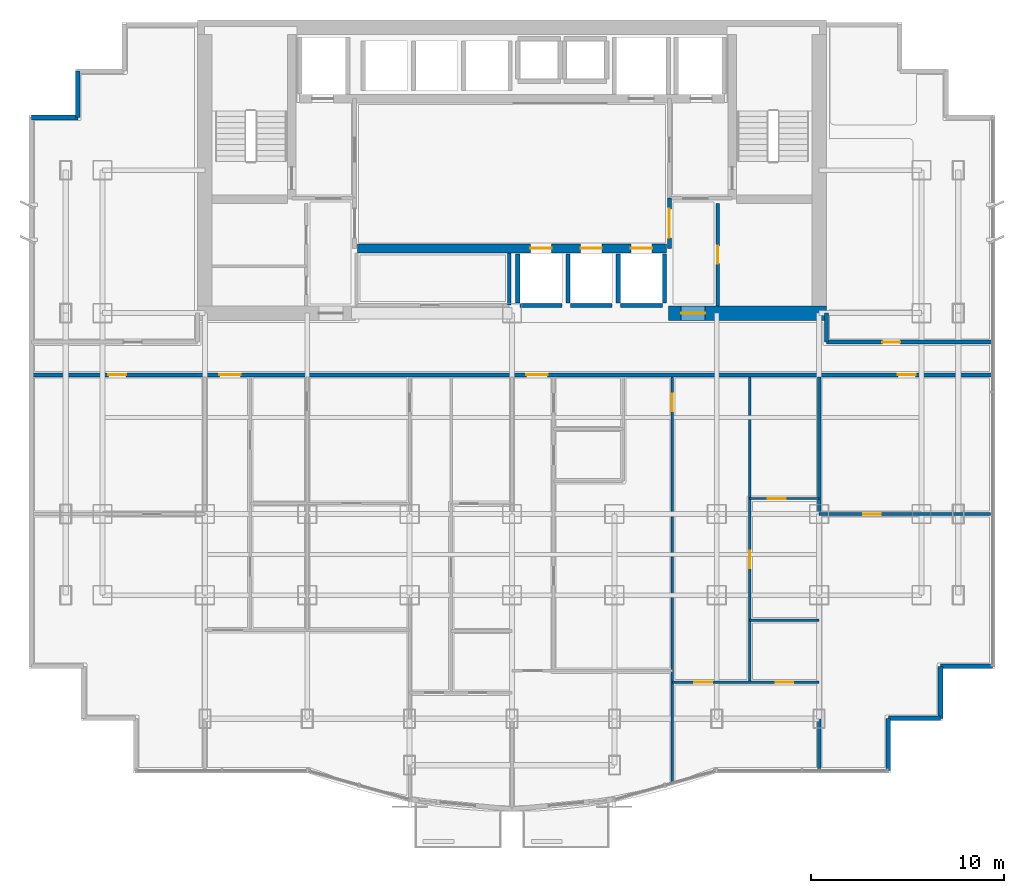
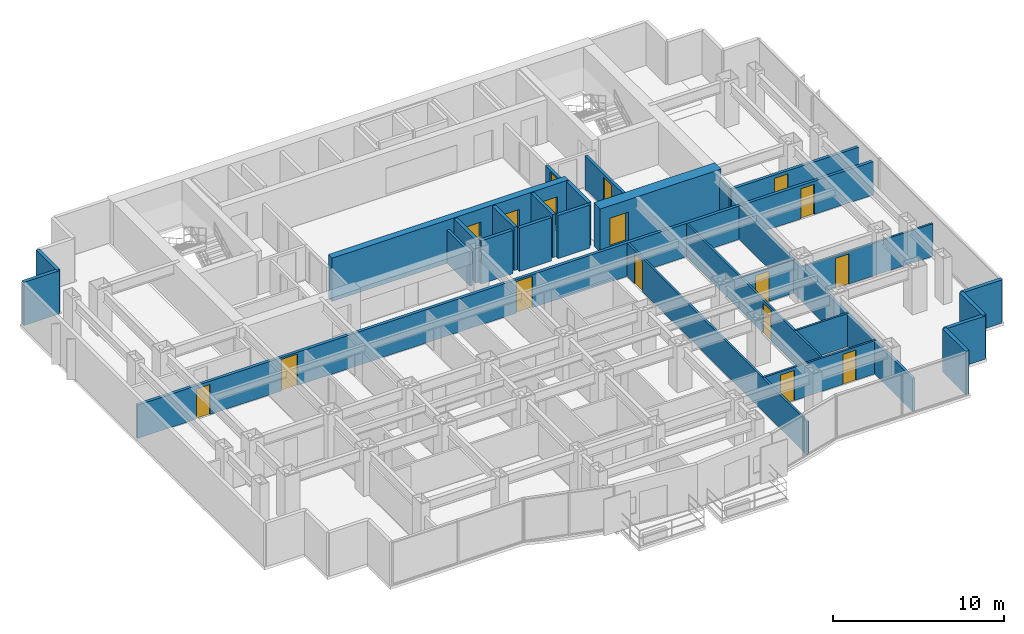
# One storey, part 8 of 12: 28 walls, 17 doors, 17 openings.
"""IFC4 building model written with IfcOpenShell, lengths in metres."""

from ifc_helpers import new_model, si_unit, direction, frame, frame_2d, origin, place, context, subcontext, project, spatial, rectangle, extrude, material, layer, layer_set, type_object, element, fill, save


model = new_model("IFC4")

# Units and contexts
model_context = context("Model", 3, precision=1e-05, world=origin(), true_north=direction((0.0, 1.0)))
body_context = subcontext(model_context, "Body", "Model", "MODEL_VIEW")
ifc_project = project(units=[si_unit("LENGTHUNIT", "METRE"), si_unit("AREAUNIT", "SQUARE_METRE"), si_unit("VOLUMEUNIT", "CUBIC_METRE"), si_unit("PLANEANGLEUNIT", "RADIAN"), si_unit("MASSUNIT", "GRAM", prefix="KILO")], contexts=[model_context])

# Site, building, storey
site_placement = place(None, origin())
site = spatial("IfcSite", under=ifc_project, at=site_placement, CompositionType="ELEMENT")
building_placement = place(site_placement, origin())
building = spatial("IfcBuilding", under=site, at=building_placement, Name="Qianlan Lanfeng Residences", CompositionType="ELEMENT")
storey_placement = place(building_placement, frame((0.0, 0.0, 101.5)))
storey = spatial("IfcBuildingStorey", under=building, at=storey_placement, Name="L27", CompositionType="ELEMENT", Elevation=101.5)

# Wall, openings, doors
ifc_material_1 = material(Name="Concrete C60", Category="concrete")
ifc_layer_1 = layer(ifc_material_1, 0.449951171875)
ifc_layer_set_1 = layer_set([ifc_layer_1], Name="Concrete C60")
wall_type_1 = type_object("IfcWallType", Name="CW-RC-450", PredefinedType="SHEAR", material=ifc_layer_set_1)
wall_1_placement = place(storey_placement, frame((18.5, 28.550048828125, 0.0), z_axis=(0.0, 0.0, 1.0), x_axis=(1.0, 0.0, 0.0)))
wall_1 = element("IfcWall", 1, at=wall_1_placement, inside=storey, type_object=wall_type_1, Name="L27 Core Shear Wall LBS", PredefinedType="SHEAR", context=body_context, shape_type="SweptSolid", body=[
    extrude(rectangle(XDim=16.0, YDim=0.449951171875, at=frame_2d((8.0, 0.0))), origin(), (0.0, 0.0, 1.0), 3.090087890625),
])
opening_1_placement = place(wall_1_placement, frame((8.949951171875, 0.0, 0.0)))
opening_1 = element("IfcOpeningElement", 2, at=opening_1_placement, cuts=wall_1, Name="Opening L27-LD-PL-M1", PredefinedType="OPENING", context=body_context, shape_type="SweptSolid", body=[
    extrude(rectangle(XDim=1.10009765625, YDim=2.14990234375, at=frame_2d((0.550048828125, 1.074951171875))), frame((0.0, 0.23486328125, 0.0), z_axis=(0.0, -1.0, 0.0), x_axis=(1.0, 0.0, 0.0)), (0.0, 0.0, 1.0), 0.469970703125),
])
opening_2_placement = place(wall_1_placement, frame((11.550048828125, 0.0, 0.0)))
opening_2 = element("IfcOpeningElement", 3, at=opening_2_placement, cuts=wall_1, Name="Opening L27-LD-PL-M2", PredefinedType="OPENING", context=body_context, shape_type="SweptSolid", body=[
    extrude(rectangle(XDim=1.10009765625, YDim=2.14990234375, at=frame_2d((0.550048828125, 1.074951171875))), frame((0.0, 0.23486328125, 0.0), z_axis=(0.0, -1.0, 0.0), x_axis=(1.0, 0.0, 0.0)), (0.0, 0.0, 1.0), 0.469970703125),
])
opening_3_placement = place(wall_1_placement, frame((14.14990234375, 0.0, 0.0)))
opening_3 = element("IfcOpeningElement", 4, at=opening_3_placement, cuts=wall_1, Name="Opening L27-LD-PL-M3", PredefinedType="OPENING", context=body_context, shape_type="SweptSolid", body=[
    extrude(rectangle(XDim=1.10009765625, YDim=2.14990234375, at=frame_2d((0.550048828125, 1.074951171875))), frame((0.0, 0.23486328125, 0.0), z_axis=(0.0, -1.0, 0.0), x_axis=(1.0, 0.0, 0.0)), (0.0, 0.0, 1.0), 0.469970703125),
])
ifc_material_2 = material(Name="Brushed Stainless Steel Sliding Lift Door", Category="steel")
door_type_1 = type_object("IfcDoorType", Name="LD-01", OperationType="NOTDEFINED", PredefinedType="DOOR", material=ifc_material_2)
door_1_placement = place(opening_1_placement, origin())
door_1 = element("IfcDoor", 5, at=door_1_placement, inside=storey, type_object=door_type_1, Name="L27 Elevator PL-M1 Sliding Landing Door", OperationType="DOUBLE_DOOR_SLIDING", OverallHeight=2.14990234375, OverallWidth=1.10009765625, PredefinedType="DOOR", context=body_context, shape_type="SweptSolid", body=[
    extrude(rectangle(XDim=1.10009765625, YDim=2.14990234375, at=frame_2d((0.550048828125, 1.074951171875))), frame((0.0, 0.02490234375, 0.0), z_axis=(0.0, -1.0, 0.0), x_axis=(1.0, 0.0, 0.0)), (0.0, 0.0, 1.0), 0.050048828125),
])
fill(opening_1, door_1)
door_2_placement = place(opening_2_placement, origin())
door_2 = element("IfcDoor", 6, at=door_2_placement, inside=storey, type_object=door_type_1, Name="L27 Elevator PL-M2 Sliding Landing Door", OperationType="DOUBLE_DOOR_SLIDING", OverallHeight=2.14990234375, OverallWidth=1.10009765625, PredefinedType="DOOR", context=body_context, shape_type="SweptSolid", body=[
    extrude(rectangle(XDim=1.10009765625, YDim=2.14990234375, at=frame_2d((0.550048828125, 1.074951171875))), frame((0.0, 0.02490234375, 0.0), z_axis=(0.0, -1.0, 0.0), x_axis=(1.0, 0.0, 0.0)), (0.0, 0.0, 1.0), 0.050048828125),
])
fill(opening_2, door_2)
door_3_placement = place(opening_3_placement, origin())
door_3 = element("IfcDoor", 7, at=door_3_placement, inside=storey, type_object=door_type_1, Name="L27 Elevator PL-M3 Sliding Landing Door", OperationType="DOUBLE_DOOR_SLIDING", OverallHeight=2.14990234375, OverallWidth=1.10009765625, PredefinedType="DOOR", context=body_context, shape_type="SweptSolid", body=[
    extrude(rectangle(XDim=1.10009765625, YDim=2.14990234375, at=frame_2d((0.550048828125, 1.074951171875))), frame((0.0, 0.02490234375, 0.0), z_axis=(0.0, -1.0, 0.0), x_axis=(1.0, 0.0, 0.0)), (0.0, 0.0, 1.0), 0.050048828125),
])
fill(opening_3, door_3)

# Wall, opening, door
ifc_layer_2 = layer(ifc_material_1, 0.75)
ifc_layer_set_2 = layer_set([ifc_layer_2], Name="Concrete C60")
wall_type_2 = type_object("IfcWallType", Name="CW-RC-750", PredefinedType="SHEAR", material=ifc_layer_set_2)
wall_2_placement = place(storey_placement, frame((34.60009765625, 25.199951171875, 0.0), z_axis=(0.0, 0.0, 1.0), x_axis=(1.0, 0.0, 0.0)))
wall_2 = element("IfcWall", 8, at=wall_2_placement, inside=storey, type_object=wall_type_2, Name="L27 Core Shear Wall SE", PredefinedType="SHEAR", context=body_context, shape_type="SweptSolid", body=[
    extrude(rectangle(XDim=8.1748046875, YDim=0.75, at=frame_2d((4.08740234375, 0.0))), origin(), (0.0, 0.0, 1.0), 3.090087890625),
])
opening_4_placement = place(wall_2_placement, frame((0.64990234375, 0.0, 0.0)))
opening_4 = element("IfcOpeningElement", 9, at=opening_4_placement, cuts=wall_2, Name="Opening L27-D02", PredefinedType="OPENING", context=body_context, shape_type="SweptSolid", body=[
    extrude(rectangle(XDim=1.25, YDim=2.199951171875, at=frame_2d((0.625, 1.10009765625))), frame((0.0, 0.385009765625, 0.0), z_axis=(0.0, -1.0, 0.0), x_axis=(1.0, 0.0, 0.0)), (0.0, 0.0, 1.0), 0.77001953125),
])
ifc_material_3 = material(Name="Painted Galvanised Steel Fire Door", Category="steel")
door_type_2 = type_object("IfcDoorType", Name="DT-FFL", OperationType="NOTDEFINED", PredefinedType="DOOR", material=ifc_material_3)
door_4_placement = place(opening_4_placement, frame((1.25, 0.0, 0.0), z_axis=(0.0, 0.0, 1.0), x_axis=(-1.0, 0.0, 0.0)))
door_4 = element("IfcDoor", 10, at=door_4_placement, inside=storey, type_object=door_type_2, Name="L27 East Core Lobby Smoke Door L27-D02 (DT-FFL)", OperationType="SINGLE_SWING_LEFT", OverallHeight=2.199951171875, OverallWidth=1.25, PredefinedType="DOOR", context=body_context, shape_type="SweptSolid", body=[
    extrude(rectangle(XDim=1.25, YDim=2.199951171875, at=frame_2d((0.625, 1.10009765625))), frame((0.0, 0.02490234375, 0.0), z_axis=(0.0, -1.0, 0.0), x_axis=(1.0, 0.0, 0.0)), (0.0, 0.0, 1.0), 0.050048828125),
])
fill(opening_4, door_4)

# Walls
ifc_material_4 = material(Name="Concrete C42", Category="concrete")
ifc_layer_3 = layer(ifc_material_4, 0.239990234375)
ifc_layer_set_3 = layer_set([ifc_layer_3], Name="Concrete C42")
wall_type_3 = type_object("IfcWallType", Name="EW-240", PredefinedType="SOLIDWALL", material=ifc_layer_set_3)
for number, where, z_axis, x_axis, name in (
    (11, (45.97998046875, 1.52001953125, 0.0), (0.0, 0.0, 1.0), (0.0, 1.0, 0.0), "L27 Exterior Facade Spandrel Wall 7"),
    (12, (45.97998046875, 4.219970703125, 0.0), (0.0, 0.0, 1.0), (1.0, 0.0, 0.0), "L27 Exterior Facade Spandrel Wall 8"),
    (13, (48.679931640625, 4.219970703125, 0.0), (0.0, 0.0, 1.0), (0.0, 1.0, 0.0), "L27 Exterior Facade Spandrel Wall 9"),
    (14, (48.679931640625, 6.919921875, 0.0), (0.0, 0.0, 1.0), (1.0, 0.0, 0.0), "L27 Exterior Facade Spandrel Wall 10"),
):
    element("IfcWall", number, at=place(storey_placement, frame(where, z_axis=z_axis, x_axis=x_axis)), inside=storey, type_object=wall_type_3, Name=name, PredefinedType="SOLIDWALL", context=body_context, shape_type="SweptSolid", body=[
        extrude(rectangle(XDim=2.699951171875, YDim=0.239990234375, at=frame_2d((1.35009765625, 0.0))), origin(), (0.0, 0.0, 1.0), 3.090087890625),
    ])
for number, where, z_axis, x_axis, name in (
    (15, (4.02001953125, 37.72998046875, 0.0), (0.0, 0.0, 1.0), (0.0, -1.0, 0.0), "L27 Exterior Facade Spandrel Wall 19"),
    (16, (4.02001953125, 35.330078125, 0.0), (0.0, 0.0, 1.0), (-1.0, 0.0, 0.0), "L27 Exterior Facade Spandrel Wall 20"),
):
    element("IfcWall", number, at=place(storey_placement, frame(where, z_axis=z_axis, x_axis=x_axis)), inside=storey, type_object=wall_type_3, Name=name, PredefinedType="SOLIDWALL", context=body_context, shape_type="SweptSolid", body=[
        extrude(rectangle(XDim=2.39990234375, YDim=0.239990234375, at=frame_2d((1.199951171875, 0.0))), origin(), (0.0, 0.0, 1.0), 3.090087890625),
    ])

# Wall, opening, door
ifc_material_5 = material(Name="Demountable Acoustic Framing Partition 110 mm")
ifc_layer_4 = layer(ifc_material_5, 0.110107421875)
ifc_layer_set_4 = layer_set([ifc_layer_4], Name="Demountable Acoustic Framing Partition 110 mm")
wall_type_4 = type_object("IfcWallType", Name="PW-110", PredefinedType="MOVABLE", material=ifc_layer_set_4)
wall_3_placement = place(storey_placement, frame((38.800048828125, 15.596923828125, 0.0), z_axis=(0.0, 0.0, 1.0), x_axis=(1.0, 0.0, 0.0)))
wall_3 = element("IfcWall", 17, at=wall_3_placement, inside=storey, type_object=wall_type_4, Name="L27 U02 Wardrobe Split", PredefinedType="MOVABLE", context=body_context, shape_type="SweptSolid", body=[
    extrude(rectangle(XDim=3.599853515625, YDim=0.110107421875, at=frame_2d((1.7998046875, 0.0))), origin(), (0.0, 0.0, 1.0), 2.3798828125),
])
opening_5_placement = place(wall_3_placement, frame((0.93994140625, 0.0, 0.0)))
opening_5 = element("IfcOpeningElement", 18, at=opening_5_placement, cuts=wall_3, Name="Opening L27-D35", PredefinedType="OPENING", context=body_context, shape_type="SweptSolid", body=[
    extrude(rectangle(XDim=0.919921875, YDim=2.14990234375, at=frame_2d((0.4599609375, 1.074951171875))), frame((0.0, 0.06494140625, 0.0), z_axis=(0.0, -1.0, 0.0), x_axis=(1.0, 0.0, 0.0)), (0.0, 0.0, 1.0), 0.130126953125),
])
ifc_material_6 = material(Name="Glazed Timber Kitchen/Study Door", Category="wood")
door_type_3 = type_object("IfcDoorType", Name="DT-INT", OperationType="NOTDEFINED", PredefinedType="DOOR", material=ifc_material_6)
door_5_placement = place(opening_5_placement, origin())
door_5 = element("IfcDoor", 19, at=door_5_placement, inside=storey, type_object=door_type_3, Name="L27 U02 Dressing Inner Door L27-D35 (DT-INT)", OperationType="SINGLE_SWING_RIGHT", OverallHeight=2.14990234375, OverallWidth=0.919921875, PredefinedType="DOOR", context=body_context, shape_type="SweptSolid", body=[
    extrude(rectangle(XDim=0.919921875, YDim=2.14990234375, at=frame_2d((0.4599609375, 1.074951171875))), frame((0.0, 0.02490234375, 0.0), z_axis=(0.0, -1.0, 0.0), x_axis=(1.0, 0.0, 0.0)), (0.0, 0.0, 1.0), 0.050048828125),
])
fill(opening_5, door_5)

ifc_material_7 = material(Name="Moisture-Resistant Gypsum Partition 135 mm")
ifc_layer_5 = layer(ifc_material_7, 0.135009765625)
ifc_layer_set_5 = layer_set([ifc_layer_5], Name="Moisture-Resistant Gypsum Partition 135 mm")
wall_type_5 = type_object("IfcWallType", Name="PW-135", PredefinedType="PARTITIONING", material=ifc_layer_set_5)
wall_4_placement = place(storey_placement, frame((34.800048828125, 0.866943359375, 0.0), z_axis=(0.0, 0.0, 1.0), x_axis=(0.0, 1.0, 0.0)))
wall_4 = element("IfcWall", 20, at=wall_4_placement, inside=storey, type_object=wall_type_5, Name="L27 U02 Bay Spine Wall 1", PredefinedType="PARTITIONING", context=body_context, shape_type="SweptSolid", body=[
    extrude(rectangle(XDim=21.032958984375, YDim=0.135009765625, at=frame_2d((10.5166015625, 0.0))), origin(), (0.0, 0.0, 1.0), 2.3798828125),
])
opening_6_placement = place(wall_4_placement, frame((19.248046875, 0.0, 0.0)))
opening_6 = element("IfcOpeningElement", 21, at=opening_6_placement, cuts=wall_4, Name="Opening L27-D27", PredefinedType="OPENING", context=body_context, shape_type="SweptSolid", body=[
    extrude(rectangle(XDim=0.919921875, YDim=2.14990234375, at=frame_2d((0.4599609375, 1.074951171875))), frame((0.0, 0.07763671875, 0.0), z_axis=(0.0, -1.0, 0.0), x_axis=(1.0, 0.0, 0.0)), (0.0, 0.0, 1.0), 0.155029296875),
])
door_6_placement = place(opening_6_placement, origin())
door_6 = element("IfcDoor", 22, at=door_6_placement, inside=storey, type_object=door_type_3, Name="L27 U02 Internal Hall Door L27-D27 (DT-INT)", OperationType="SINGLE_SWING_RIGHT", OverallHeight=2.14990234375, OverallWidth=0.919921875, PredefinedType="DOOR", context=body_context, shape_type="SweptSolid", body=[
    extrude(rectangle(XDim=0.919921875, YDim=2.14990234375, at=frame_2d((0.4599609375, 1.074951171875))), frame((0.0, 0.02490234375, 0.0), z_axis=(0.0, -1.0, 0.0), x_axis=(1.0, 0.0, 0.0)), (0.0, 0.0, 1.0), 0.050048828125),
])
fill(opening_6, door_6)

# Wall, openings, doors
wall_5_placement = place(storey_placement, frame((34.800048828125, 6.093994140625, 0.0), z_axis=(0.0, 0.0, 1.0), x_axis=(1.0, 0.0, 0.0)))
wall_5 = element("IfcWall", 23, at=wall_5_placement, inside=storey, type_object=wall_type_5, Name="L27 U02 Master Bedroom North Wall", PredefinedType="PARTITIONING", context=body_context, shape_type="SweptSolid", body=[
    extrude(rectangle(XDim=7.599853515625, YDim=0.135009765625, at=frame_2d((3.7998046875, 0.0))), origin(), (0.0, 0.0, 1.0), 2.3798828125),
])
opening_7_placement = place(wall_5_placement, frame((1.125, 0.0, 0.0)))
opening_7 = element("IfcOpeningElement", 24, at=opening_7_placement, cuts=wall_5, Name="Opening L27-D32", PredefinedType="OPENING", context=body_context, shape_type="SweptSolid", body=[
    extrude(rectangle(XDim=0.949951171875, YDim=2.14990234375, at=frame_2d((0.47509765625, 1.074951171875))), frame((0.0, 0.07763671875, 0.0), z_axis=(0.0, -1.0, 0.0), x_axis=(1.0, 0.0, 0.0)), (0.0, 0.0, 1.0), 0.155029296875),
])
opening_8_placement = place(wall_5_placement, frame((5.35009765625, 0.0, 0.0)))
opening_8 = element("IfcOpeningElement", 25, at=opening_8_placement, cuts=wall_5, Name="Opening L27-D33", PredefinedType="OPENING", context=body_context, shape_type="SweptSolid", body=[
    extrude(rectangle(XDim=0.89990234375, YDim=2.14990234375, at=frame_2d((0.449951171875, 1.074951171875))), frame((0.0, 0.07763671875, 0.0), z_axis=(0.0, -1.0, 0.0), x_axis=(1.0, 0.0, 0.0)), (0.0, 0.0, 1.0), 0.155029296875),
])
ifc_material_8 = material(Name="Painted Solid-Core Timber Leaf", Category="wood")
door_type_4 = type_object("IfcDoorType", Name="DT-BED", OperationType="NOTDEFINED", PredefinedType="DOOR", material=ifc_material_8)
door_7_placement = place(opening_7_placement, origin())
door_7 = element("IfcDoor", 26, at=door_7_placement, inside=storey, type_object=door_type_4, Name="L27 U02 Master Bedroom Door L27-D32 (DT-BED)", OperationType="SINGLE_SWING_LEFT", OverallHeight=2.14990234375, OverallWidth=0.949951171875, PredefinedType="DOOR", context=body_context, shape_type="SweptSolid", body=[
    extrude(rectangle(XDim=0.949951171875, YDim=2.14990234375, at=frame_2d((0.47509765625, 1.074951171875))), frame((0.0, 0.02490234375, 0.0), z_axis=(0.0, -1.0, 0.0), x_axis=(1.0, 0.0, 0.0)), (0.0, 0.0, 1.0), 0.050048828125),
])
fill(opening_7, door_7)
ifc_material_9 = material(Name="Moisture-Resistant Timber Leaf", Category="wood")
door_type_5 = type_object("IfcDoorType", Name="DT-WC", OperationType="NOTDEFINED", PredefinedType="DOOR", material=ifc_material_9)
door_8_placement = place(opening_8_placement, origin())
door_8 = element("IfcDoor", 27, at=door_8_placement, inside=storey, type_object=door_type_5, Name="L27 U02 En-Suite Bathroom Door L27-D33 (DT-WC)", OperationType="SINGLE_SWING_RIGHT", OverallHeight=2.14990234375, OverallWidth=0.89990234375, PredefinedType="DOOR", context=body_context, shape_type="SweptSolid", body=[
    extrude(rectangle(XDim=0.89990234375, YDim=2.14990234375, at=frame_2d((0.449951171875, 1.074951171875))), frame((0.0, 0.02490234375, 0.0), z_axis=(0.0, -1.0, 0.0), x_axis=(1.0, 0.0, 0.0)), (0.0, 0.0, 1.0), 0.050048828125),
])
fill(opening_8, door_8)

# Wall, opening, door
wall_6_placement = place(storey_placement, frame((38.800048828125, 6.093994140625, 0.0), z_axis=(0.0, 0.0, 1.0), x_axis=(0.0, 1.0, 0.0)))
wall_6 = element("IfcWall", 28, at=wall_6_placement, inside=storey, type_object=wall_type_5, Name="L27 U02 Master Passage Wall", PredefinedType="PARTITIONING", context=body_context, shape_type="SweptSolid", body=[
    extrude(rectangle(XDim=15.805908203125, YDim=0.135009765625, at=frame_2d((7.90283203125, 0.0))), origin(), (0.0, 0.0, 1.0), 2.3798828125),
])
opening_9_placement = place(wall_6_placement, frame((5.89111328125, 0.0, 0.0)))
opening_9 = element("IfcOpeningElement", 29, at=opening_9_placement, cuts=wall_6, Name="Opening L27-D34", PredefinedType="OPENING", context=body_context, shape_type="SweptSolid", body=[
    extrude(rectangle(XDim=0.919921875, YDim=2.14990234375, at=frame_2d((0.4599609375, 1.074951171875))), frame((0.0, 0.07763671875, 0.0), z_axis=(0.0, -1.0, 0.0), x_axis=(1.0, 0.0, 0.0)), (0.0, 0.0, 1.0), 0.155029296875),
])
door_9_placement = place(opening_9_placement, origin())
door_9 = element("IfcDoor", 30, at=door_9_placement, inside=storey, type_object=door_type_3, Name="L27 U02 Wardrobe Door L27-D34 (DT-INT)", OperationType="SINGLE_SWING_LEFT", OverallHeight=2.14990234375, OverallWidth=0.919921875, PredefinedType="DOOR", context=body_context, shape_type="SweptSolid", body=[
    extrude(rectangle(XDim=0.919921875, YDim=2.14990234375, at=frame_2d((0.4599609375, 1.074951171875))), frame((0.0, 0.02490234375, 0.0), z_axis=(0.0, -1.0, 0.0), x_axis=(1.0, 0.0, 0.0)), (0.0, 0.0, 1.0), 0.050048828125),
])
fill(opening_9, door_9)

# Wall
wall_7_placement = place(storey_placement, frame((38.800048828125, 9.2939453125, 0.0), z_axis=(0.0, 0.0, 1.0), x_axis=(1.0, 0.0, 0.0)))
element("IfcWall", 31, at=wall_7_placement, inside=storey, type_object=wall_type_5, Name="L27 U02 En-Suite North Wall", PredefinedType="PARTITIONING", context=body_context, shape_type="SweptSolid", body=[
    extrude(rectangle(XDim=3.599853515625, YDim=0.135009765625, at=frame_2d((1.7998046875, 0.0))), origin(), (0.0, 0.0, 1.0), 2.3798828125),
])

# Wall, opening, door
wall_8_placement = place(storey_placement, frame((42.39990234375, 14.800048828125, 0.0), z_axis=(0.0, 0.0, 1.0), x_axis=(1.0, 0.0, 0.0)))
wall_8 = element("IfcWall", 32, at=wall_8_placement, inside=storey, type_object=wall_type_5, Name="L27 SEP Mid Partition", PredefinedType="PARTITIONING", context=body_context, shape_type="SweptSolid", body=[
    extrude(rectangle(XDim=8.880126953125, YDim=0.135009765625, at=frame_2d((4.43994140625, 0.0))), origin(), (0.0, 0.0, 1.0), 2.3349609375),
])
opening_10_placement = place(wall_8_placement, frame((2.280029296875, 0.0, 0.0)))
opening_10 = element("IfcOpeningElement", 33, at=opening_10_placement, cuts=wall_8, Name="Opening L27-D38", PredefinedType="OPENING", context=body_context, shape_type="SweptSolid", body=[
    extrude(rectangle(XDim=0.919921875, YDim=2.14990234375, at=frame_2d((0.4599609375, 1.074951171875))), frame((0.0, 0.07763671875, 0.0), z_axis=(0.0, -1.0, 0.0), x_axis=(1.0, 0.0, 0.0)), (0.0, 0.0, 1.0), 0.155029296875),
])
door_10_placement = place(opening_10_placement, origin())
door_10 = element("IfcDoor", 34, at=door_10_placement, inside=storey, type_object=door_type_3, Name="L27 SEP Inner Door L27-D38 (DT-INT)", OperationType="SINGLE_SWING_LEFT", OverallHeight=2.14990234375, OverallWidth=0.919921875, PredefinedType="DOOR", context=body_context, shape_type="SweptSolid", body=[
    extrude(rectangle(XDim=0.919921875, YDim=2.14990234375, at=frame_2d((0.4599609375, 1.074951171875))), frame((0.0, 0.02490234375, 0.0), z_axis=(0.0, -1.0, 0.0), x_axis=(1.0, 0.0, 0.0)), (0.0, 0.0, 1.0), 0.050048828125),
])
fill(opening_10, door_10)

ifc_material_10 = material(Name="Double-Layer Acoustic Gypsum Stud Wall 180 mm")
ifc_layer_6 = layer(ifc_material_10, 0.179931640625)
ifc_layer_set_6 = layer_set([ifc_layer_6], Name="Double-Layer Acoustic Gypsum Stud Wall 180 mm")
wall_type_6 = type_object("IfcWallType", Name="PW-180", PredefinedType="PARTITIONING", material=ifc_layer_set_6)
wall_9_placement = place(storey_placement, frame((37.14990234375, 25.574951171875, 0.0), z_axis=(0.0, 0.0, 1.0), x_axis=(0.0, 1.0, 0.0)))
wall_9 = element("IfcWall", 35, at=wall_9_placement, inside=storey, type_object=wall_type_6, Name="L27 Core East Service Room Wall", PredefinedType="PARTITIONING", context=body_context, shape_type="SweptSolid", body=[
    extrude(rectangle(XDim=5.300048828125, YDim=0.179931640625, at=frame_2d((2.64990234375, 0.0))), origin(), (0.0, 0.0, 1.0), 2.3798828125),
])
opening_11_placement = place(wall_9_placement, frame((2.18994140625, 0.0, 0.0)))
opening_11 = element("IfcOpeningElement", 36, at=opening_11_placement, cuts=wall_9, Name="Opening L27-D11", PredefinedType="OPENING", context=body_context, shape_type="SweptSolid", body=[
    extrude(rectangle(XDim=0.919921875, YDim=2.14990234375, at=frame_2d((0.4599609375, 1.074951171875))), frame((0.0, 0.10009765625, 0.0), z_axis=(0.0, -1.0, 0.0), x_axis=(1.0, 0.0, 0.0)), (0.0, 0.0, 1.0), 0.199951171875),
])
door_11_placement = place(opening_11_placement, origin())
door_11 = element("IfcDoor", 37, at=door_11_placement, inside=storey, type_object=door_type_3, Name="L27 Mail Parcel Closet Door L27-D11 (DT-INT)", OperationType="SINGLE_SWING_RIGHT", OverallHeight=2.14990234375, OverallWidth=0.919921875, PredefinedType="DOOR", context=body_context, shape_type="SweptSolid", body=[
    extrude(rectangle(XDim=0.919921875, YDim=2.14990234375, at=frame_2d((0.4599609375, 1.074951171875))), frame((0.0, 0.02490234375, 0.0), z_axis=(0.0, -1.0, 0.0), x_axis=(1.0, 0.0, 0.0)), (0.0, 0.0, 1.0), 0.050048828125),
])
fill(opening_11, door_11)

# Walls
wall_10_placement = place(storey_placement, frame((26.35009765625, 25.6201171875, 0.0), z_axis=(0.0, 0.0, 1.0), x_axis=(0.0, 1.0, 0.0)))
element("IfcWall", 38, at=wall_10_placement, inside=storey, type_object=wall_type_6, Name="L27 Reclaimed Low-Bank Room East Wall", PredefinedType="PARTITIONING", context=body_context, shape_type="SweptSolid", body=[
    extrude(rectangle(XDim=2.704833984375, YDim=0.179931640625, at=frame_2d((1.3525390625, 0.0))), origin(), (0.0, 0.0, 1.0), 2.3798828125),
])
wall_11_placement = place(storey_placement, frame((42.39990234375, 1.6201171875, 0.0), z_axis=(0.0, 0.0, 1.0), x_axis=(0.0, 1.0, 0.0)))
element("IfcWall", 39, at=wall_11_placement, inside=storey, type_object=wall_type_6, Name="L27 Wing Boundary Party Wall E0", PredefinedType="PARTITIONING", context=body_context, shape_type="SweptSolid", body=[
    extrude(rectangle(XDim=20.27978515625, YDim=0.179931640625, at=frame_2d((10.139892578125, 0.0))), origin(), (0.0, 0.0, 1.0), 2.3349609375),
])

# Wall, opening, door
ifc_material_11 = material(Name="Autoclaved Aerated Concrete Blockwork 200 mm", Category="masonry")
ifc_layer_7 = layer(ifc_material_11, 0.199951171875)
ifc_layer_set_7 = layer_set([ifc_layer_7], Name="Autoclaved Aerated Concrete Blockwork 200 mm")
wall_type_7 = type_object("IfcWallType", Name="PW-200", PredefinedType="PARTITIONING", material=ifc_layer_set_7)
wall_12_placement = place(storey_placement, frame((34.64990234375, 28.550048828125, 0.0), z_axis=(0.0, 0.0, 1.0), x_axis=(0.0, 1.0, 0.0)))
wall_12 = element("IfcWall", 40, at=wall_12_placement, inside=storey, type_object=wall_type_7, Name="L27 Lift Lobby East Connector Wall", PredefinedType="PARTITIONING", context=body_context, shape_type="SweptSolid", body=[
    extrude(rectangle(XDim=2.599853515625, YDim=0.199951171875, at=frame_2d((1.2998046875, 0.0))), origin(), (0.0, 0.0, 1.0), 2.3798828125),
])
opening_12_placement = place(wall_12_placement, frame((0.550048828125, 0.0, 0.0)))
opening_12 = element("IfcOpeningElement", 41, at=opening_12_placement, cuts=wall_12, Name="Opening L27-D13", PredefinedType="OPENING", context=body_context, shape_type="SweptSolid", body=[
    extrude(rectangle(XDim=1.5, YDim=2.25, at=frame_2d((0.75, 1.125))), frame((0.0, 0.10986328125, 0.0), z_axis=(0.0, -1.0, 0.0), x_axis=(1.0, 0.0, 0.0)), (0.0, 0.0, 1.0), 0.219970703125),
])
ifc_material_12 = material(Name="Timber Veneer Acoustic Fire Door", Category="wood")
door_type_6 = type_object("IfcDoorType", Name="DT-COR1", OperationType="NOTDEFINED", PredefinedType="DOOR", material=ifc_material_12)
door_12_placement = place(opening_12_placement, frame((1.5, 0.0, 0.0), z_axis=(0.0, 0.0, 1.0), x_axis=(-1.0, 0.0, 0.0)))
door_12 = element("IfcDoor", 42, at=door_12_placement, inside=storey, type_object=door_type_6, Name="L27 Lift Lobby East Portal Door L27-D13 (DT-COR1)", OperationType="DOUBLE_DOOR_SINGLE_SWING", OverallHeight=2.25, OverallWidth=1.5, PredefinedType="DOOR", context=body_context, shape_type="SweptSolid", body=[
    extrude(rectangle(XDim=1.5, YDim=2.25, at=frame_2d((0.75, 1.125))), frame((0.0, 0.02490234375, 0.0), z_axis=(0.0, -1.0, 0.0), x_axis=(1.0, 0.0, 0.0)), (0.0, 0.0, 1.0), 0.050048828125),
])
fill(opening_12, door_12)

# Wall, openings, doors
wall_13_placement = place(storey_placement, frame((1.6201171875, 22.0, 0.0), z_axis=(0.0, 0.0, 1.0), x_axis=(1.0, 0.0, 0.0)))
wall_13 = element("IfcWall", 43, at=wall_13_placement, inside=storey, type_object=wall_type_7, Name="L27 Residential Corridor South Fire Wall", PredefinedType="PARTITIONING", context=body_context, shape_type="SweptSolid", body=[
    extrude(rectangle(XDim=49.759765625, YDim=0.199951171875, at=frame_2d((24.8798828125, 0.0))), origin(), (0.0, 0.0, 1.0), 2.3798828125),
])
opening_13_placement = place(wall_13_placement, frame((9.72998046875, 0.0, 0.0)))
opening_13 = element("IfcOpeningElement", 44, at=opening_13_placement, cuts=wall_13, Name="Opening L27-D15", PredefinedType="OPENING", context=body_context, shape_type="SweptSolid", body=[
    extrude(rectangle(XDim=1.10009765625, YDim=2.25, at=frame_2d((0.550048828125, 1.125))), frame((0.0, 0.10986328125, 0.0), z_axis=(0.0, -1.0, 0.0), x_axis=(1.0, 0.0, 0.0)), (0.0, 0.0, 1.0), 0.219970703125),
])
opening_14_placement = place(wall_13_placement, frame((25.6298828125, 0.0, 0.0)))
opening_14 = element("IfcOpeningElement", 45, at=opening_14_placement, cuts=wall_13, Name="Opening L27-D26", PredefinedType="OPENING", context=body_context, shape_type="SweptSolid", body=[
    extrude(rectangle(XDim=1.10009765625, YDim=2.25, at=frame_2d((0.550048828125, 1.125))), frame((0.0, 0.10986328125, 0.0), z_axis=(0.0, -1.0, 0.0), x_axis=(1.0, 0.0, 0.0)), (0.0, 0.0, 1.0), 0.219970703125),
])
opening_15_placement = place(wall_13_placement, frame((3.985107421875, 0.0, 0.0)))
opening_15 = element("IfcOpeningElement", 46, at=opening_15_placement, cuts=wall_13, Name="Opening L27-D37", PredefinedType="OPENING", context=body_context, shape_type="SweptSolid", body=[
    extrude(rectangle(XDim=0.919921875, YDim=2.14990234375, at=frame_2d((0.4599609375, 1.074951171875))), frame((0.0, 0.10986328125, 0.0), z_axis=(0.0, -1.0, 0.0), x_axis=(1.0, 0.0, 0.0)), (0.0, 0.0, 1.0), 0.219970703125),
])
opening_16_placement = place(wall_13_placement, frame((44.85498046875, 0.0, 0.0)))
opening_16 = element("IfcOpeningElement", 47, at=opening_16_placement, cuts=wall_13, Name="Opening L27-D39", PredefinedType="OPENING", context=body_context, shape_type="SweptSolid", body=[
    extrude(rectangle(XDim=0.919921875, YDim=2.14990234375, at=frame_2d((0.4599609375, 1.074951171875))), frame((0.0, 0.10986328125, 0.0), z_axis=(0.0, -1.0, 0.0), x_axis=(1.0, 0.0, 0.0)), (0.0, 0.0, 1.0), 0.219970703125),
])
door_13_placement = place(opening_15_placement, origin())
door_13 = element("IfcDoor", 48, at=door_13_placement, inside=storey, type_object=door_type_3, Name="L27 SWP Corridor Door L27-D37 (DT-INT)", OperationType="SINGLE_SWING_RIGHT", OverallHeight=2.14990234375, OverallWidth=0.919921875, PredefinedType="DOOR", context=body_context, shape_type="SweptSolid", body=[
    extrude(rectangle(XDim=0.919921875, YDim=2.14990234375, at=frame_2d((0.4599609375, 1.074951171875))), frame((0.0, 0.02490234375, 0.0), z_axis=(0.0, -1.0, 0.0), x_axis=(1.0, 0.0, 0.0)), (0.0, 0.0, 1.0), 0.050048828125),
])
fill(opening_15, door_13)
door_14_placement = place(opening_16_placement, origin())
door_14 = element("IfcDoor", 49, at=door_14_placement, inside=storey, type_object=door_type_3, Name="L27 SEP Corridor Door L27-D39 (DT-INT)", OperationType="SINGLE_SWING_RIGHT", OverallHeight=2.14990234375, OverallWidth=0.919921875, PredefinedType="DOOR", context=body_context, shape_type="SweptSolid", body=[
    extrude(rectangle(XDim=0.919921875, YDim=2.14990234375, at=frame_2d((0.4599609375, 1.074951171875))), frame((0.0, 0.02490234375, 0.0), z_axis=(0.0, -1.0, 0.0), x_axis=(1.0, 0.0, 0.0)), (0.0, 0.0, 1.0), 0.050048828125),
])
fill(opening_16, door_14)
ifc_material_13 = material(Name="Solid-Core Oak Veneer Fire Door")
door_type_7 = type_object("IfcDoorType", Name="DT-UNIT", OperationType="NOTDEFINED", PredefinedType="DOOR", material=ifc_material_13)
door_15_placement = place(opening_13_placement, origin())
door_15 = element("IfcDoor", 50, at=door_15_placement, inside=storey, type_object=door_type_7, Name="L27 Apartment U01 Entrance Door L27-D15 (DT-UNIT)", OperationType="SINGLE_SWING_RIGHT", OverallHeight=2.25, OverallWidth=1.10009765625, PredefinedType="DOOR", context=body_context, shape_type="SweptSolid", body=[
    extrude(rectangle(XDim=1.10009765625, YDim=2.25, at=frame_2d((0.550048828125, 1.125))), frame((0.0, 0.02490234375, 0.0), z_axis=(0.0, -1.0, 0.0), x_axis=(1.0, 0.0, 0.0)), (0.0, 0.0, 1.0), 0.050048828125),
])
fill(opening_13, door_15)
door_16_placement = place(opening_14_placement, origin())
door_16 = element("IfcDoor", 51, at=door_16_placement, inside=storey, type_object=door_type_7, Name="L27 Apartment U02 Entrance Door L27-D26 (DT-UNIT)", OperationType="SINGLE_SWING_RIGHT", OverallHeight=2.25, OverallWidth=1.10009765625, PredefinedType="DOOR", context=body_context, shape_type="SweptSolid", body=[
    extrude(rectangle(XDim=1.10009765625, YDim=2.25, at=frame_2d((0.550048828125, 1.125))), frame((0.0, 0.02490234375, 0.0), z_axis=(0.0, -1.0, 0.0), x_axis=(1.0, 0.0, 0.0)), (0.0, 0.0, 1.0), 0.050048828125),
])
fill(opening_14, door_16)

# Wall, opening, door
wall_14_placement = place(storey_placement, frame((42.77490234375, 23.699951171875, 0.0), z_axis=(0.0, 0.0, 1.0), x_axis=(1.0, 0.0, 0.0)))
wall_14 = element("IfcWall", 52, at=wall_14_placement, inside=storey, type_object=wall_type_7, Name="L27 Corridor NE Wall", PredefinedType="PARTITIONING", context=body_context, shape_type="SweptSolid", body=[
    extrude(rectangle(XDim=8.60498046875, YDim=0.199951171875, at=frame_2d((4.302490234375, 0.0))), origin(), (0.0, 0.0, 1.0), 2.3798828125),
])
opening_17_placement = place(wall_14_placement, frame((2.89306640625, 0.0, 0.0)))
opening_17 = element("IfcOpeningElement", 53, at=opening_17_placement, cuts=wall_14, Name="Opening L27-D41", PredefinedType="OPENING", context=body_context, shape_type="SweptSolid", body=[
    extrude(rectangle(XDim=0.919921875, YDim=2.14990234375, at=frame_2d((0.4599609375, 1.074951171875))), frame((0.0, 0.10986328125, 0.0), z_axis=(0.0, -1.0, 0.0), x_axis=(1.0, 0.0, 0.0)), (0.0, 0.0, 1.0), 0.219970703125),
])
door_17_placement = place(opening_17_placement, origin())
door_17 = element("IfcDoor", 54, at=door_17_placement, inside=storey, type_object=door_type_3, Name="L27 EW Amenity Salon Door L27-D41 (DT-INT)", OperationType="SINGLE_SWING_RIGHT", OverallHeight=2.14990234375, OverallWidth=0.919921875, PredefinedType="DOOR", context=body_context, shape_type="SweptSolid", body=[
    extrude(rectangle(XDim=0.919921875, YDim=2.14990234375, at=frame_2d((0.4599609375, 1.074951171875))), frame((0.0, 0.02490234375, 0.0), z_axis=(0.0, -1.0, 0.0), x_axis=(1.0, 0.0, 0.0)), (0.0, 0.0, 1.0), 0.050048828125),
])
fill(opening_17, door_17)

# Walls
wall_15_placement = place(storey_placement, frame((42.77490234375, 23.699951171875, 0.0), z_axis=(0.0, 0.0, 1.0), x_axis=(0.0, 1.0, 0.0)))
element("IfcWall", 55, at=wall_15_placement, inside=storey, type_object=wall_type_7, Name="L27 NE Wing Core Return Wall", PredefinedType="PARTITIONING", context=body_context, shape_type="SweptSolid", body=[
    extrude(rectangle(XDim=1.5, YDim=0.199951171875, at=frame_2d((0.75, 0.0))), origin(), (0.0, 0.0, 1.0), 2.3798828125),
])
ifc_material_14 = material(Name="Concrete C49", Category="concrete")
ifc_layer_8 = layer(ifc_material_14, 0.219970703125)
ifc_layer_set_8 = layer_set([ifc_layer_8], Name="Concrete C49")
wall_type_8 = type_object("IfcWallType", Name="SHW-220", PredefinedType="SOLIDWALL", material=ifc_layer_set_8)
wall_16_placement = place(storey_placement, frame((26.800048828125, 25.719970703125, 0.0), z_axis=(0.0, 0.0, 1.0), x_axis=(0.0, 1.0, 0.0)))
element("IfcWall", 56, at=wall_16_placement, inside=storey, type_object=wall_type_8, Name="L27 Lift PL-M1 Shaft Wall W", PredefinedType="SOLIDWALL", context=body_context, shape_type="SweptSolid", body=[
    extrude(rectangle(XDim=2.530029296875, YDim=0.219970703125, at=frame_2d((1.26513671875, 0.0))), origin(), (0.0, 0.0, 1.0), 3.090087890625),
])
wall_17_placement = place(storey_placement, frame((26.919921875, 25.60009765625, 0.0), z_axis=(0.0, 0.0, 1.0), x_axis=(1.0, 0.0, 0.0)))
element("IfcWall", 57, at=wall_17_placement, inside=storey, type_object=wall_type_8, Name="L27 Lift PL-M1 Shaft Back Wall S", PredefinedType="SOLIDWALL", context=body_context, shape_type="SweptSolid", body=[
    extrude(rectangle(XDim=2.16015625, YDim=0.219970703125, at=frame_2d((1.080078125, 0.0))), origin(), (0.0, 0.0, 1.0), 3.090087890625),
])
wall_18_placement = place(storey_placement, frame((29.39990234375, 25.719970703125, 0.0), z_axis=(0.0, 0.0, 1.0), x_axis=(0.0, 1.0, 0.0)))
element("IfcWall", 58, at=wall_18_placement, inside=storey, type_object=wall_type_8, Name="L27 Lift PL-M2 Shaft Wall W", PredefinedType="SOLIDWALL", context=body_context, shape_type="SweptSolid", body=[
    extrude(rectangle(XDim=2.530029296875, YDim=0.219970703125, at=frame_2d((1.26513671875, 0.0))), origin(), (0.0, 0.0, 1.0), 3.090087890625),
])
wall_19_placement = place(storey_placement, frame((29.52001953125, 25.60009765625, 0.0), z_axis=(0.0, 0.0, 1.0), x_axis=(1.0, 0.0, 0.0)))
element("IfcWall", 59, at=wall_19_placement, inside=storey, type_object=wall_type_8, Name="L27 Lift PL-M2 Shaft Back Wall S", PredefinedType="SOLIDWALL", context=body_context, shape_type="SweptSolid", body=[
    extrude(rectangle(XDim=2.159912109375, YDim=0.219970703125, at=frame_2d((1.080078125, 0.0))), origin(), (0.0, 0.0, 1.0), 3.090087890625),
])
for number, where, z_axis, x_axis, name in (
    (60, (32.0, 25.719970703125, 0.0), (0.0, 0.0, 1.0), (0.0, 1.0, 0.0), "L27 Lift PL-M3 Shaft Wall W"),
    (61, (34.39990234375, 25.719970703125, 0.0), (0.0, 0.0, 1.0), (0.0, 1.0, 0.0), "L27 Lift PL-M3 Shaft Wall E"),
):
    element("IfcWall", number, at=place(storey_placement, frame(where, z_axis=z_axis, x_axis=x_axis)), inside=storey, type_object=wall_type_8, Name=name, PredefinedType="SOLIDWALL", context=body_context, shape_type="SweptSolid", body=[
        extrude(rectangle(XDim=2.530029296875, YDim=0.219970703125, at=frame_2d((1.26513671875, 0.0))), origin(), (0.0, 0.0, 1.0), 3.090087890625),
    ])
wall_20_placement = place(storey_placement, frame((32.1201171875, 25.60009765625, 0.0), z_axis=(0.0, 0.0, 1.0), x_axis=(1.0, 0.0, 0.0)))
element("IfcWall", 62, at=wall_20_placement, inside=storey, type_object=wall_type_8, Name="L27 Lift PL-M3 Shaft Back Wall S", PredefinedType="SOLIDWALL", context=body_context, shape_type="SweptSolid", body=[
    extrude(rectangle(XDim=2.159912109375, YDim=0.219970703125, at=frame_2d((1.080078125, 0.0))), origin(), (0.0, 0.0, 1.0), 3.090087890625),
])

save(model, "model.ifc")
